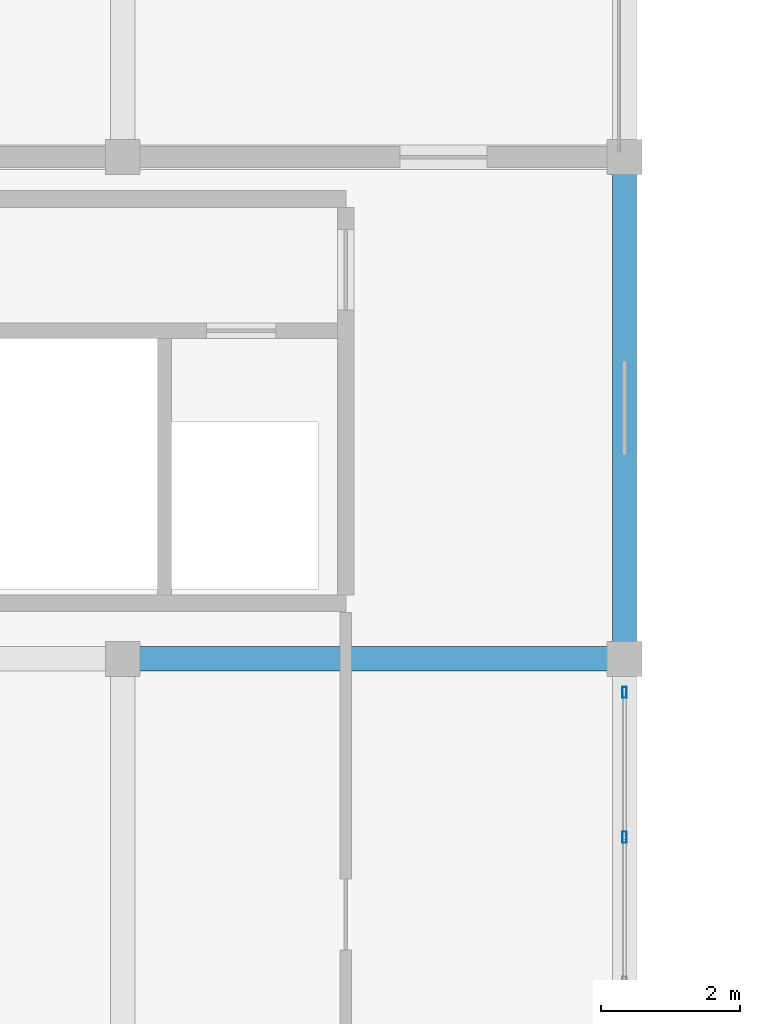
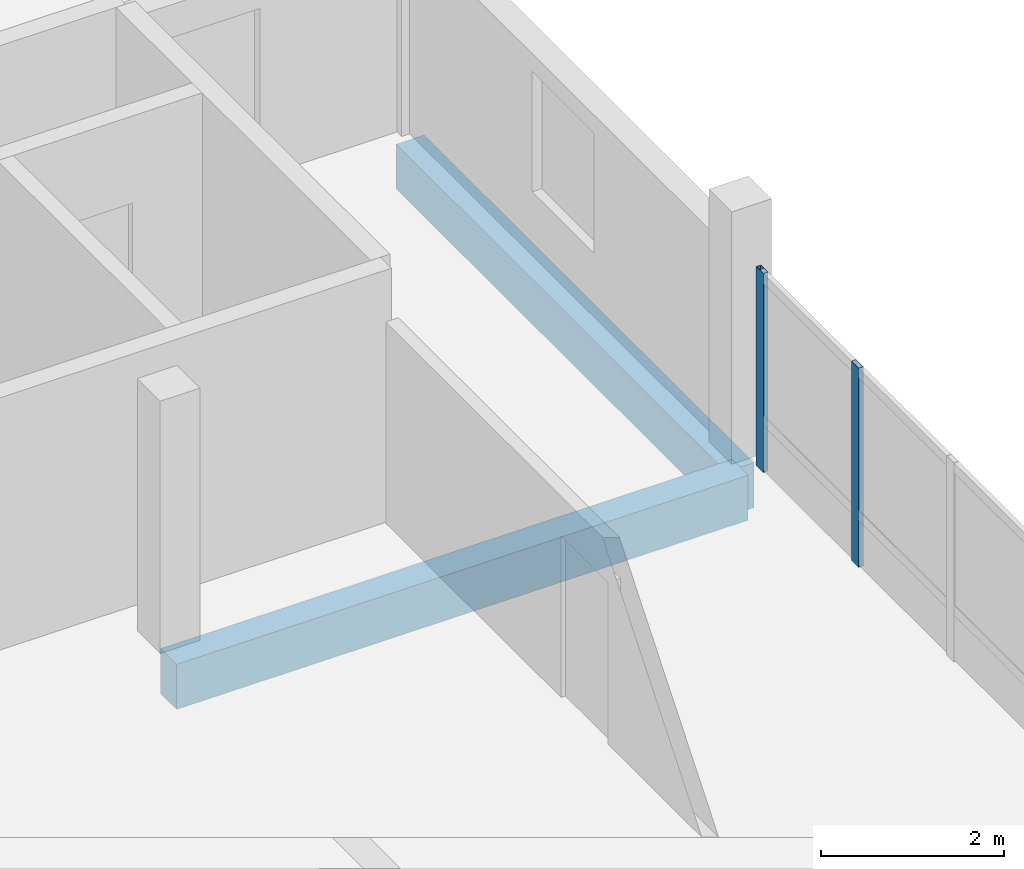
# One storey, part 10 of 18: 2 beams, 2 members, 1 element without a shape of its own.
"""IFC4 building model written with IfcOpenShell, lengths in metres."""

import ifcopenshell
import ifcopenshell.guid

model = None  # the IFC model being written
_history = None  # IfcOwnerHistory: only IFC2X3 demands one
_inside = {}  # id of a spatial element -> (the spatial element, [elements in it])
_under = {}  # id of a project, library or spatial element -> (it, [spatial elements below it])
_declared = {}  # id of a project -> (the project, [libraries it declares])
_typed = {}  # id of a type object -> (the type object, [elements of that type])
_made_of = {}  # id of a material, layer set ... -> (it, [elements and type objects made of it])


def new_model(schema):
    """Start an empty IFC model of exactly this schema.

    Asked for "IFC4X3", IfcOpenShell would pick the latest addendum, in which some entities
    have other attributes; the version numbers below select the first issue.
    IFC2X3 requires an IfcOwnerHistory on every rooted entity: one is made here for all.
    """
    global model, _history
    if schema == "IFC4X3":
        model = ifcopenshell.file(schema_version=(4, 3, 0, 0))
    else:
        model = ifcopenshell.file(schema=schema)
    _inside.clear()
    _under.clear()
    _declared.clear()
    _typed.clear()
    _made_of.clear()
    _history = None
    if model.schema == "IFC2X3":
        org = make("IfcOrganization", Name="unknown")
        user = make(
            "IfcPersonAndOrganization",
            ThePerson=make("IfcPerson", FamilyName="unknown"),
            TheOrganization=org,
        )
        app = make(
            "IfcApplication",
            ApplicationDeveloper=org,
            Version="unknown",
            ApplicationFullName="unknown",
            ApplicationIdentifier="unknown",
        )
        _history = make(
            "IfcOwnerHistory",
            OwningUser=user,
            OwningApplication=app,
            ChangeAction="ADDED",
            CreationDate=0,
        )
    return model


def make(cls, **values):
    """One entity of the class cls with the attributes given. An attribute that is None is left unset."""
    return model.create_entity(
        cls, **{name: value for name, value in values.items() if value is not None}
    )


def rooted(cls, **values):
    """An entity with a GlobalId (a new one), such as an element, a storey or a relation."""
    return make(cls, GlobalId=ifcopenshell.guid.new(), OwnerHistory=_history, **values)


def si_unit(unit_type, name, prefix=None):
    """IfcSIUnit, for example si_unit("LENGTHUNIT", "METRE", prefix="MILLI")."""
    return make("IfcSIUnit", UnitType=unit_type, Prefix=prefix, Name=name)


def assignment(units):
    """IfcUnitAssignment: the units of a project."""
    return None if units is None else make("IfcUnitAssignment", Units=units)


def point(xyz):
    """IfcCartesianPoint."""
    return None if xyz is None else make("IfcCartesianPoint", Coordinates=xyz)


def direction(xyz):
    """IfcDirection."""
    return None if xyz is None else make("IfcDirection", DirectionRatios=xyz)


def frame(location, z_axis=None, x_axis=None):
    """IfcAxis2Placement3D, a coordinate frame: its origin and axes. An axis left out is left unset."""
    return make(
        "IfcAxis2Placement3D",
        Location=point(location),
        Axis=direction(z_axis),
        RefDirection=direction(x_axis),
    )


def frame_2d(location, x_axis=None):
    """IfcAxis2Placement2D, a coordinate frame in the plane: its origin and x axis."""
    return make(
        "IfcAxis2Placement2D", Location=point(location), RefDirection=direction(x_axis)
    )


def origin():
    """The frame at (0, 0, 0) with its axes left unset."""
    return frame((0.0, 0.0, 0.0))


def origin_2d():
    """The frame at (0, 0) in the plane with its x axis left unset."""
    return frame_2d((0.0, 0.0))


def place(relative_to, where):
    """IfcLocalPlacement: puts the frame where relative to a parent placement (None: the world)."""
    return make(
        "IfcLocalPlacement", PlacementRelTo=relative_to, RelativePlacement=where
    )


def context(
    kind, dimensions, precision=None, world=None, true_north=None, identifier=None
):
    """IfcGeometricRepresentationContext, for example the 3D "Model" context."""
    return make(
        "IfcGeometricRepresentationContext",
        ContextIdentifier=identifier,
        ContextType=kind,
        CoordinateSpaceDimension=dimensions,
        Precision=precision,
        WorldCoordinateSystem=world,
        TrueNorth=true_north,
    )


def subcontext(parent, identifier, kind, view, scale=None):
    """IfcGeometricRepresentationSubContext, for example "Body" below "Model"."""
    return make(
        "IfcGeometricRepresentationSubContext",
        ContextIdentifier=identifier,
        ContextType=kind,
        ParentContext=parent,
        TargetScale=scale,
        TargetView=view,
    )


def project(units=None, contexts=None):
    """IfcProject with its units and contexts."""
    return rooted(
        "IfcProject",
        Name="project",
        RepresentationContexts=contexts,
        UnitsInContext=assignment(units),
    )


def spatial(cls, under=None, at=None, **own):
    """A site, building, storey or space (cls), placed at a placement, below another one or the project."""
    s = rooted(cls, ObjectPlacement=at, **own)
    if under is not None:
        _under.setdefault(under.id(), (under, []))[1].append(s)
    return s


def profile(cls, at=None, kind="AREA", **sizes):
    """A parametric profile (cls). Its sizes go by their IFC names, for example OverallWidth=200.0."""
    return make(cls, ProfileType=kind, Position=at, **sizes)


def rectangle(**sizes):
    """IfcRectangleProfileDef."""
    return profile("IfcRectangleProfileDef", **sizes)


def hollow_rectangle(**sizes):
    """IfcRectangleHollowProfileDef."""
    return profile("IfcRectangleHollowProfileDef", **sizes)


def extrude(swept, where, along, depth):
    """IfcExtrudedAreaSolid: the profile swept, set in the frame where, extruded along a direction by depth."""
    return make(
        "IfcExtrudedAreaSolid",
        SweptArea=swept,
        Position=where,
        ExtrudedDirection=direction(along),
        Depth=depth,
    )


def shape(context_of_items, identifier, shape_type, items):
    """IfcShapeRepresentation: the items that make up one representation, for example the "Body"."""
    return make(
        "IfcShapeRepresentation",
        ContextOfItems=context_of_items,
        RepresentationIdentifier=identifier,
        RepresentationType=shape_type,
        Items=items,
    )


def material(Name=None, Category=None):
    """IfcMaterial."""
    return make("IfcMaterial", Name=Name, Category=Category)


def material_profile(
    of_material, cross_section, Name=None, Category=None, Priority=None
):
    """IfcMaterialProfile: a cross section and its material."""
    return make(
        "IfcMaterialProfile",
        Name=Name,
        Material=of_material,
        Profile=cross_section,
        Priority=Priority,
        Category=Category,
    )


def profile_set(profiles, Name=None, composite=None):
    """IfcMaterialProfileSet."""
    return make(
        "IfcMaterialProfileSet",
        Name=Name,
        MaterialProfiles=profiles,
        CompositeProfile=composite,
    )


def made_of(thing, what):
    """Note that an element or type object is made of a material, layer set ...; save() writes the relation."""
    if what is not None:
        _made_of.setdefault(what.id(), (what, []))[1].append(thing)
    return thing


def type_object(cls, material=None, **own):
    """A type object (cls), such as IfcWallType, which elements share."""
    return made_of(rooted(cls, **own), material)


def element(
    cls,
    number,
    at=None,
    inside=None,
    cuts=None,
    type_object=None,
    material=None,
    context=None,
    identifier="Body",
    shape_type=None,
    held_by="IfcProductDefinitionShape",
    body=None,
    shapes=None,
    **own,
):
    """One element of the class cls, such as IfcWall. Its Tag is "e" and its number.

    at: its placement. inside: the storey or other place that contains it. cuts: it is an
    opening in that element (IfcRelVoidsElement). A single representation is given by context,
    identifier, shape_type and body (its items); several are given by shapes. held_by: the class
    of the entity that holds the representations. save() writes the other relations.
    """
    e = rooted(cls, Tag="e%d" % number, ObjectPlacement=at, **own)
    if body is not None:
        shapes = [shape(context, identifier, shape_type, body)]
    if shapes is not None:
        e.Representation = make(held_by, Representations=shapes)
    if inside is not None:
        _inside.setdefault(inside.id(), (inside, []))[1].append(e)
    if cuts is not None:
        rooted(
            "IfcRelVoidsElement", RelatingBuildingElement=cuts, RelatedOpeningElement=e
        )
    if type_object is not None:
        _typed.setdefault(type_object.id(), (type_object, []))[1].append(e)
    return made_of(e, material)


def aggregate(whole, parts):
    """IfcRelAggregates: a whole, such as a stair, and the parts it consists of."""
    return rooted("IfcRelAggregates", RelatingObject=whole, RelatedObjects=parts)


def save(model, path):
    """Write the relations noted so far, then the file.

    IfcRelAggregates (storeys below a building ...), IfcRelContainedInSpatialStructure (elements
    in a storey), IfcRelDefinesByType, IfcRelAssociatesMaterial and IfcRelDeclares: one each for
    every whole, place, type object, material and project.
    """
    for whole, parts in _under.values():
        aggregate(whole, parts)
    for where, things in _inside.values():
        rooted(
            "IfcRelContainedInSpatialStructure",
            RelatedElements=things,
            RelatingStructure=where,
        )
    for kind, things in _typed.values():
        rooted("IfcRelDefinesByType", RelatedObjects=things, RelatingType=kind)
    for what, things in _made_of.values():
        rooted("IfcRelAssociatesMaterial", RelatedObjects=things, RelatingMaterial=what)
    for by, libraries in _declared.values():
        rooted("IfcRelDeclares", RelatingContext=by, RelatedDefinitions=libraries)
    model.write(path)


model = new_model("IFC4")

# Units and contexts
model_context = context("Model", 3, precision=1e-05, world=origin(), true_north=direction((0.0, 1.0)))
body_context = subcontext(model_context, "Body", "Model", "MODEL_VIEW")
ifc_project = project(units=[si_unit("LENGTHUNIT", "METRE"), si_unit("AREAUNIT", "SQUARE_METRE"), si_unit("VOLUMEUNIT", "CUBIC_METRE"), si_unit("PLANEANGLEUNIT", "RADIAN"), si_unit("MASSUNIT", "GRAM", prefix="KILO")], contexts=[model_context])

# Site, building, storey
site_placement = place(None, origin())
site = spatial("IfcSite", under=ifc_project, at=site_placement, CompositionType="ELEMENT")
building_placement = place(site_placement, origin())
building = spatial("IfcBuilding", under=site, at=building_placement, Name="Zornivar Specialist Clinic", CompositionType="ELEMENT")
storey_placement = place(building_placement, frame((0.0, 0.0, 23.39990234375)))
storey = spatial("IfcBuildingStorey", under=building, at=storey_placement, Name="L06", CompositionType="ELEMENT", Elevation=23.39990234375)

# Beams
ifc_material_1 = material(Name="Concrete C30/37", Category="concrete")
ifc_material_profile_1 = material_profile(ifc_material_1, rectangle(XDim=0.35009765625, YDim=0.60009765625, at=origin_2d()), Name="RC 350x600")
ifc_profile_set_1 = profile_set([ifc_material_profile_1], Name="Concrete C30/37")
beam_type = type_object("IfcBeamType", Name="BM-RC-350x600", PredefinedType="BEAM", material=ifc_profile_set_1)
for number, where, z_axis, x_axis, name in (
    (1, (7.199951171875, 36.0, -0.579833984375), (1.0, 0.0, 0.0), (0.0, 1.0, 0.0), "bm:V2:L06:x:360:1"),
    (2, (14.39990234375, 36.0, -0.579833984375), (0.0, 1.0, 0.0), (-1.0, 0.0, 0.0), "bm:V2:L06:y:144:5"),
):
    element("IfcBeam", number, at=place(storey_placement, frame(where, z_axis=z_axis, x_axis=x_axis)), inside=storey, type_object=beam_type, Name=name, PredefinedType="BEAM", context=body_context, shape_type="SweptSolid", body=[
        extrude(rectangle(XDim=0.35009765625, YDim=0.60009765625, at=origin_2d()), origin(), (0.0, 0.0, 1.0), 7.199951171875),
    ])

# Curtain wall, members
ifc_material_2 = material(Name="Aluminium and Low-E Glass Curtain Wall", Category="aluminium")
curtain_wall_type = type_object("IfcCurtainWallType", Name="CW-REVAK-COURT", PredefinedType="NOTDEFINED", material=ifc_material_2)
curtain_wall_placement = place(storey_placement, origin())
curtain_wall = element("IfcCurtainWall", 3, at=curtain_wall_placement, inside=storey, type_object=curtain_wall_type, Name="cw:V2:L06:10", PredefinedType="NOTDEFINED")
ifc_material_3 = material(Name="Aluminium AW-6060", Category="aluminium")
ifc_material_profile_2 = material_profile(ifc_material_3, hollow_rectangle(XDim=0.06005859375, YDim=0.159912109375, WallThickness=0.00390625, at=origin_2d()), Name="ALU 60x160x4")
ifc_profile_set_2 = profile_set([ifc_material_profile_2], Name="Aluminium AW-6060")
member_type = type_object("IfcMemberType", Name="CWM-MUL-160", PredefinedType="MULLION", material=ifc_profile_set_2)
member_1_placement = place(storey_placement, frame((14.39990234375, 33.43994140625, 0.0), z_axis=(0.0, 0.0, 1.0), x_axis=(1.0, 0.0, 0.0)))
member_1 = element("IfcMember", 4, at=member_1_placement, type_object=member_type, Name="cw:V2:L06:10:mul:2", PredefinedType="MULLION", context=body_context, shape_type="SweptSolid", body=[
    extrude(hollow_rectangle(XDim=0.06005859375, YDim=0.159912109375, WallThickness=0.00390625, at=origin_2d()), origin(), (0.0, 0.0, 1.0), 2.650146484375),
])
member_2_placement = place(storey_placement, frame((14.39990234375, 35.52001953125, 0.0), z_axis=(0.0, 0.0, 1.0), x_axis=(1.0, 0.0, 0.0)))
member_2 = element("IfcMember", 5, at=member_2_placement, type_object=member_type, Name="cw:V2:L06:10:mul:3", PredefinedType="MULLION", context=body_context, shape_type="SweptSolid", body=[
    extrude(hollow_rectangle(XDim=0.06005859375, YDim=0.159912109375, WallThickness=0.00390625, at=origin_2d()), origin(), (0.0, 0.0, 1.0), 2.650146484375),
])
aggregate(curtain_wall, [member_1, member_2])

save(model, "model.ifc")
